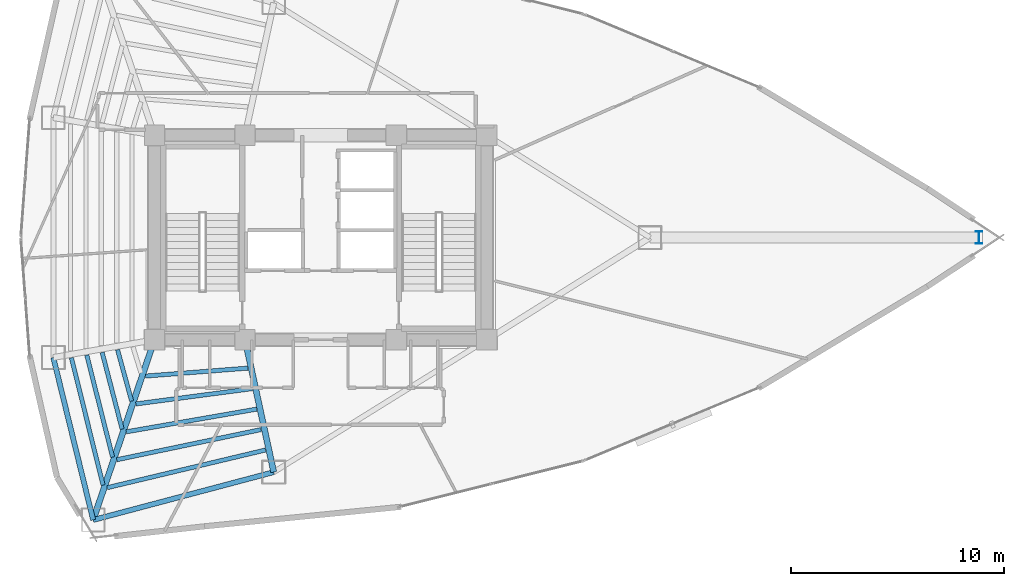
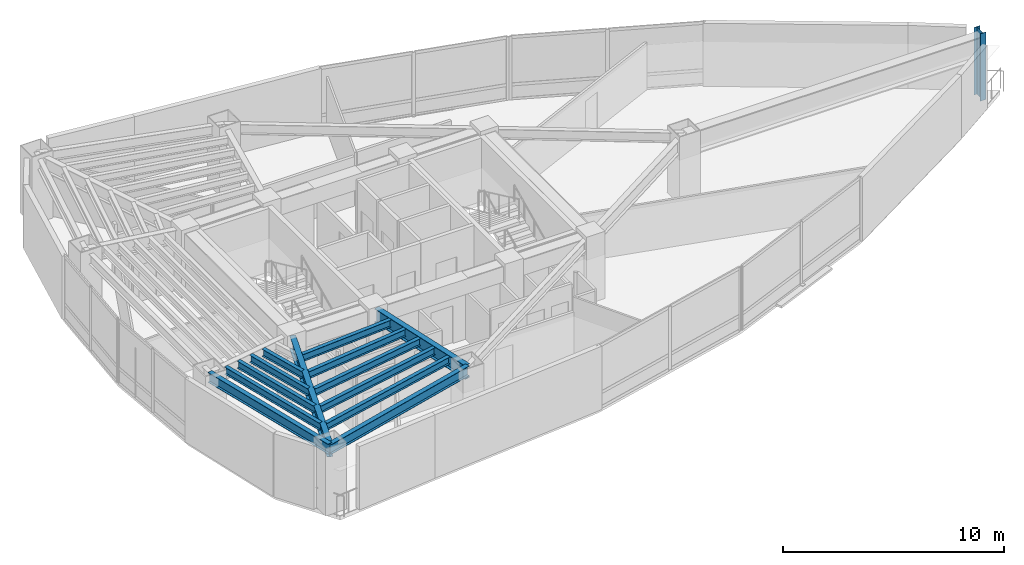
# One storey, part 2 of 18: 13 beams, 1 column.
"""IFC4 building model written with IfcOpenShell, lengths in metres."""

from ifc_helpers import new_model, si_unit, direction, frame, origin, origin_2d, place, context, subcontext, project, spatial, i_section, extrude, material, material_profile, profile_set, type_object, element, save


model = new_model("IFC4")

# Units and contexts
model_context = context("Model", 3, precision=1e-05, world=origin(), true_north=direction((0.0, 1.0)))
body_context = subcontext(model_context, "Body", "Model", "MODEL_VIEW")
ifc_project = project(units=[si_unit("LENGTHUNIT", "METRE"), si_unit("AREAUNIT", "SQUARE_METRE"), si_unit("VOLUMEUNIT", "CUBIC_METRE"), si_unit("PLANEANGLEUNIT", "RADIAN"), si_unit("MASSUNIT", "GRAM", prefix="KILO")], contexts=[model_context])

# Site, building, storey
site_placement = place(None, origin())
site = spatial("IfcSite", under=ifc_project, at=site_placement, CompositionType="ELEMENT")
building_placement = place(site_placement, origin())
building = spatial("IfcBuilding", under=site, at=building_placement, Name="Menara Vayukalpa", CompositionType="ELEMENT")
storey_placement = place(building_placement, frame((0.0, 0.0, 165.47998046875)))
storey = spatial("IfcBuildingStorey", under=building, at=storey_placement, Name="L41", CompositionType="ELEMENT", Elevation=165.47998046875)

# Column
ifc_material_1 = material(Name="Steel S460", Category="steel")
ifc_material_profile_1 = material_profile(ifc_material_1, i_section(OverallWidth=0.300048828125, OverallDepth=0.587890625, WebThickness=0.011962890625, FlangeThickness=0.02001953125, at=origin_2d()), Name="H 588x300x12x20")
ifc_profile_set_1 = profile_set([ifc_material_profile_1], Name="Steel S460")
column_type = type_object("IfcColumnType", Name="COL-SC1", PredefinedType="COLUMN", material=ifc_profile_set_1)
column_placement = place(storey_placement, frame((56.501953125, 22.0, 0.0), z_axis=(0.0, 0.0, 1.0), x_axis=(1.0, 0.0, 0.0)))
element("IfcColumn", 1, at=column_placement, inside=storey, type_object=column_type, Name="L41 SB3 Sky Bar Vierendeel Column SB01", PredefinedType="COLUMN", context=body_context, shape_type="SweptSolid", body=[
    extrude(i_section(OverallWidth=0.300048828125, OverallDepth=0.587890625, WebThickness=0.011962890625, FlangeThickness=0.02001953125, at=origin_2d()), origin(), (0.0, 0.0, 1.0), 3.719970703125),
])

# Beams
ifc_material_2 = material(Name="Steel S355", Category="steel")
ifc_material_profile_2 = material_profile(ifc_material_2, i_section(OverallWidth=0.280029296875, OverallDepth=0.75, WebThickness=0.013916015625, FlangeThickness=0.02490234375, at=origin_2d()), Name="WF 750x280x14x25")
ifc_profile_set_2 = profile_set([ifc_material_profile_2], Name="Steel S355")
beam_type_1 = type_object("IfcBeamType", Name="BM-PG4", PredefinedType="BEAM", material=ifc_profile_set_2)
beam_1_placement = place(storey_placement, frame((17.719482421875, 16.96337890625, 3.125), z_axis=(-0.322207533072, -0.946669058136, 0.0), x_axis=(0.946669058136, -0.322207533072, 0.0)))
element("IfcBeam", 2, at=beam_1_placement, inside=storey, type_object=beam_type_1, Name="L41 Primary Radial Girder RG07", PredefinedType="BEAM", context=body_context, shape_type="SweptSolid", body=[
    extrude(i_section(OverallWidth=0.280029296875, OverallDepth=0.75, WebThickness=0.013916015625, FlangeThickness=0.02490234375, at=origin_2d()), origin(), (0.0, 0.0, 1.0), 8.687255859375),
])
beam_2_placement = place(storey_placement, frame((22.10302734375, 16.955810546875, 3.125), z_axis=(0.211898459532, -0.9772916877, 0.0), x_axis=(0.9772916877, 0.211898459532, 0.0)))
element("IfcBeam", 3, at=beam_2_placement, inside=storey, type_object=beam_type_1, Name="L41 Primary Radial Girder RG08", PredefinedType="BEAM", context=body_context, shape_type="SweptSolid", body=[
    extrude(i_section(OverallWidth=0.280029296875, OverallDepth=0.75, WebThickness=0.013916015625, FlangeThickness=0.02490234375, at=origin_2d()), origin(), (0.0, 0.0, 1.0), 6.1064453125),
])
ifc_material_3 = material(Name="Steel S355", Category="steel")
ifc_material_profile_3 = material_profile(ifc_material_3, i_section(OverallWidth=0.199951171875, OverallDepth=0.39990234375, WebThickness=0.008056640625, FlangeThickness=0.012939453125, at=origin_2d()), Name="WF 400x200x8x13")
ifc_profile_set_3 = profile_set([ifc_material_profile_3], Name="Steel S355")
beam_type_2 = type_object("IfcBeamType", Name="BM-SJ2", PredefinedType="JOIST", material=ifc_profile_set_3)
beam_3_placement = place(storey_placement, frame((16.064453125, 16.734375, 3.300048828125), z_axis=(0.264264990211, -0.96445011014, 0.0), x_axis=(0.96445011014, 0.264264990211, 0.0)))
element("IfcBeam", 4, at=beam_3_placement, inside=storey, type_object=beam_type_2, Name="L41 Secondary Floor Joist SJ06-2", PredefinedType="JOIST", context=body_context, shape_type="SweptSolid", body=[
    extrude(i_section(OverallWidth=0.199951171875, OverallDepth=0.39990234375, WebThickness=0.008056640625, FlangeThickness=0.012939453125, at=origin_2d()), origin(), (0.0, 0.0, 1.0), 2.501708984375),
])
beam_4_placement = place(storey_placement, frame((15.341796875, 16.607666015625, 3.300048828125), z_axis=(0.25203199701, -0.967718901584, 0.0), x_axis=(0.967718901584, 0.25203199701, 0.0)))
element("IfcBeam", 5, at=beam_4_placement, inside=storey, type_object=beam_type_2, Name="L41 Secondary Floor Joist SJ06-3", PredefinedType="JOIST", context=body_context, shape_type="SweptSolid", body=[
    extrude(i_section(OverallWidth=0.199951171875, OverallDepth=0.39990234375, WebThickness=0.008056640625, FlangeThickness=0.012939453125, at=origin_2d()), origin(), (0.0, 0.0, 1.0), 3.7216796875),
])
beam_5_placement = place(storey_placement, frame((14.619873046875, 16.481201171875, 3.300048828125), z_axis=(0.245487100754, -0.969399857315, 0.0), x_axis=(0.969399857315, 0.245487100754, 0.0)))
element("IfcBeam", 6, at=beam_5_placement, inside=storey, type_object=beam_type_2, Name="L41 Secondary Floor Joist SJ06-4", PredefinedType="JOIST", context=body_context, shape_type="SweptSolid", body=[
    extrude(i_section(OverallWidth=0.199951171875, OverallDepth=0.39990234375, WebThickness=0.008056640625, FlangeThickness=0.012939453125, at=origin_2d()), origin(), (0.0, 0.0, 1.0), 4.941650390625),
])
beam_6_placement = place(storey_placement, frame((13.8984375, 16.35498046875, 3.300048828125), z_axis=(0.241360851184, -0.970435438098, 0.0), x_axis=(0.970435438098, 0.241360851184, 0.0)))
element("IfcBeam", 7, at=beam_6_placement, inside=storey, type_object=beam_type_2, Name="L41 Secondary Floor Joist SJ06-5", PredefinedType="JOIST", context=body_context, shape_type="SweptSolid", body=[
    extrude(i_section(OverallWidth=0.199951171875, OverallDepth=0.39990234375, WebThickness=0.008056640625, FlangeThickness=0.012939453125, at=origin_2d()), origin(), (0.0, 0.0, 1.0), 6.162109375),
])
beam_7_placement = place(storey_placement, frame((17.375244140625, 15.495361328125, 3.300048828125), z_axis=(0.996983386276, 0.077615252944, 0.0), x_axis=(-0.077615252944, 0.996983386276, 0.0)))
element("IfcBeam", 8, at=beam_7_placement, inside=storey, type_object=beam_type_2, Name="L41 Secondary Floor Joist SJ07-1", PredefinedType="JOIST", context=body_context, shape_type="SweptSolid", body=[
    extrude(i_section(OverallWidth=0.199951171875, OverallDepth=0.39990234375, WebThickness=0.008056640625, FlangeThickness=0.012939453125, at=origin_2d()), origin(), (0.0, 0.0, 1.0), 4.81591796875),
])
beam_8_placement = place(storey_placement, frame((16.926513671875, 14.18798828125, 3.300048828125), z_axis=(0.991462596105, 0.130391412773, 0.0), x_axis=(-0.130391412773, 0.991462596105, 0.0)))
element("IfcBeam", 9, at=beam_8_placement, inside=storey, type_object=beam_type_2, Name="L41 Secondary Floor Joist SJ07-2", PredefinedType="JOIST", context=body_context, shape_type="SweptSolid", body=[
    extrude(i_section(OverallWidth=0.199951171875, OverallDepth=0.39990234375, WebThickness=0.008056640625, FlangeThickness=0.012939453125, at=origin_2d()), origin(), (0.0, 0.0, 1.0), 5.504638671875),
])
beam_9_placement = place(storey_placement, frame((16.4775390625, 12.87890625, 3.300048828125), z_axis=(0.985157431798, 0.171653239334, 0.0), x_axis=(-0.171653239334, 0.985157431798, 0.0)))
element("IfcBeam", 10, at=beam_9_placement, inside=storey, type_object=beam_type_2, Name="L41 Secondary Floor Joist SJ07-3", PredefinedType="JOIST", context=body_context, shape_type="SweptSolid", body=[
    extrude(i_section(OverallWidth=0.199951171875, OverallDepth=0.39990234375, WebThickness=0.008056640625, FlangeThickness=0.012939453125, at=origin_2d()), origin(), (0.0, 0.0, 1.0), 6.206787109375),
])
beam_10_placement = place(storey_placement, frame((16.02880859375, 11.568359375, 3.300048828125), z_axis=(0.97882747282, 0.204687025611, 0.0), x_axis=(-0.204687025611, 0.97882747282, 0.0)))
element("IfcBeam", 11, at=beam_10_placement, inside=storey, type_object=beam_type_2, Name="L41 Secondary Floor Joist SJ07-4", PredefinedType="JOIST", context=body_context, shape_type="SweptSolid", body=[
    extrude(i_section(OverallWidth=0.199951171875, OverallDepth=0.39990234375, WebThickness=0.008056640625, FlangeThickness=0.012939453125, at=origin_2d()), origin(), (0.0, 0.0, 1.0), 6.91796875),
])
beam_11_placement = place(storey_placement, frame((15.580078125, 10.2568359375, 3.300048828125), z_axis=(0.972815476519, 0.231581624151, 0.0), x_axis=(-0.231581624151, 0.972815476519, 0.0)))
element("IfcBeam", 12, at=beam_11_placement, inside=storey, type_object=beam_type_2, Name="L41 Secondary Floor Joist SJ07-5", PredefinedType="JOIST", context=body_context, shape_type="SweptSolid", body=[
    extrude(i_section(OverallWidth=0.199951171875, OverallDepth=0.39990234375, WebThickness=0.008056640625, FlangeThickness=0.012939453125, at=origin_2d()), origin(), (0.0, 0.0, 1.0), 7.6357421875),
])
ifc_material_4 = material(Name="Steel S355", Category="steel")
ifc_material_profile_4 = material_profile(ifc_material_4, i_section(OverallWidth=0.239990234375, OverallDepth=0.550048828125, WebThickness=0.010986328125, FlangeThickness=0.01904296875, at=origin_2d()), Name="WF 550x240x11x19")
ifc_profile_set_4 = profile_set([ifc_material_profile_4], Name="Steel S355")
beam_type_3 = type_object("IfcBeamType", Name="BM-SP2", PredefinedType="SPANDREL", material=ifc_profile_set_4)
beam_12_placement = place(storey_placement, frame((13.049072265625, 16.3681640625, 3.22509765625), z_axis=(0.238240335346, -0.971206230733, 0.0), x_axis=(0.971206230733, 0.238240335346, 0.0)))
element("IfcBeam", 13, at=beam_12_placement, inside=storey, type_object=beam_type_3, Name="L41 Perimeter Spandrel Beam SP06", PredefinedType="SPANDREL", context=body_context, shape_type="SweptSolid", body=[
    extrude(i_section(OverallWidth=0.239990234375, OverallDepth=0.550048828125, WebThickness=0.010986328125, FlangeThickness=0.01904296875, at=origin_2d()), origin(), (0.0, 0.0, 1.0), 7.854736328125),
])
beam_13_placement = place(storey_placement, frame((14.92041015625, 8.739501953125, 3.22509765625), z_axis=(0.96657141455, 0.256397544009, 0.0), x_axis=(-0.256397544009, 0.96657141455, 0.0)))
element("IfcBeam", 14, at=beam_13_placement, inside=storey, type_object=beam_type_3, Name="L41 Perimeter Spandrel Beam SP07", PredefinedType="SPANDREL", context=body_context, shape_type="SweptSolid", body=[
    extrude(i_section(OverallWidth=0.239990234375, OverallDepth=0.550048828125, WebThickness=0.010986328125, FlangeThickness=0.01904296875, at=origin_2d()), origin(), (0.0, 0.0, 1.0), 8.769775390625),
])

save(model, "model.ifc")
